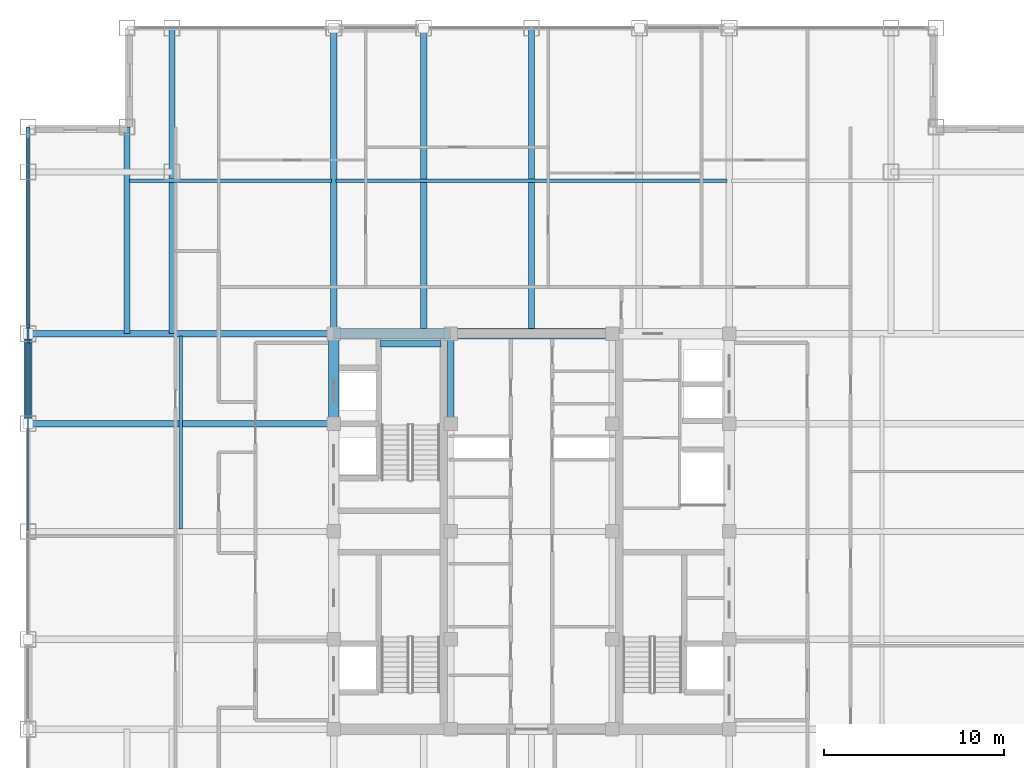
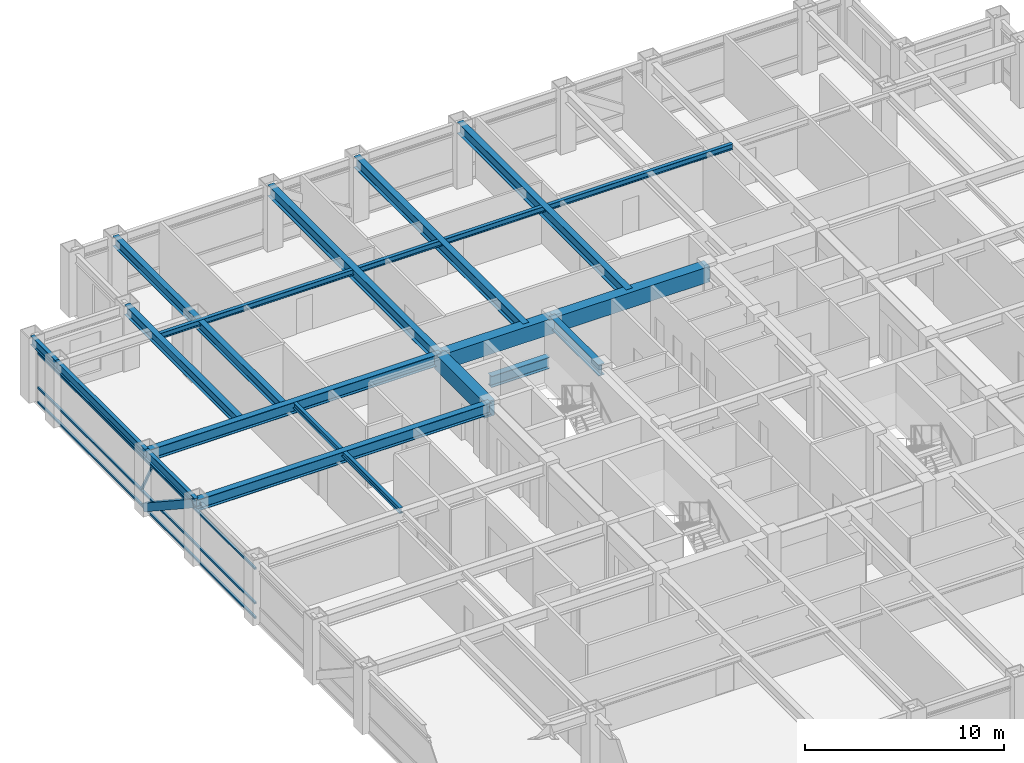
# One storey, part 11 of 22: 18 beams, 5 members, 1 element without a shape of its own.
"""IFC4 building model written with IfcOpenShell, lengths in metres."""

from ifc_helpers import new_model, si_unit, direction, frame, origin, origin_2d, place, context, subcontext, project, spatial, rectangle, hollow_rectangle, i_section, extrude, source, transform, mapped, material, material_profile, profile_set, type_object, element, aggregate, save


model = new_model("IFC4")

# Units and contexts
model_context = context("Model", 3, precision=1e-05, world=origin(), true_north=direction((0.0, 1.0)))
body_context = subcontext(model_context, "Body", "Model", "MODEL_VIEW")
ifc_project = project(units=[si_unit("LENGTHUNIT", "METRE"), si_unit("AREAUNIT", "SQUARE_METRE"), si_unit("VOLUMEUNIT", "CUBIC_METRE"), si_unit("PLANEANGLEUNIT", "RADIAN"), si_unit("MASSUNIT", "GRAM", prefix="KILO")], contexts=[model_context])

# Site, building, storey
site_placement = place(None, origin())
site = spatial("IfcSite", under=ifc_project, at=site_placement, CompositionType="ELEMENT")
building_placement = place(site_placement, origin())
building = spatial("IfcBuilding", under=site, at=building_placement, Name="Khorayat Bourse Tower", CompositionType="ELEMENT")
storey_placement = place(building_placement, frame((0.0, 0.0, 309.5)))
storey = spatial("IfcBuildingStorey", under=building, at=storey_placement, Name="L73", CompositionType="ELEMENT", Elevation=309.5)

# Beams
ifc_material_1 = material(Name="Steel ASTM A992 Grade 50", Category="steel")
ifc_material_profile_1 = material_profile(ifc_material_1, i_section(OverallWidth=0.35498046875, OverallDepth=0.695068359375, WebThickness=0.015380859375, FlangeThickness=0.02490234375, FilletRadius=0.01806640625, at=origin_2d()), Name="W690X217")
ifc_profile_set_1 = profile_set([ifc_material_profile_1], Name="Steel ASTM A992 Grade 50")
beam_type_1 = type_object("IfcBeamType", Name="BM-GIRD-690", PredefinedType="BEAM", material=ifc_profile_set_1)
shared_shape_1 = source(origin(), body_context, "Body", "SweptSolid", [
    extrude(i_section(OverallWidth=0.35498046875, OverallDepth=0.695068359375, WebThickness=0.015380859375, FlangeThickness=0.02490234375, FilletRadius=0.01806640625, at=origin_2d()), origin(), (0.0, 0.0, 1.0), 5.0),
])
beam_1_placement = place(storey_placement, frame((-4.5, 6.0, 3.4326171875), z_axis=(0.0, 1.0, 0.0), x_axis=(-1.0, 0.0, 0.0)))
element("IfcBeam", 1, at=beam_1_placement, inside=storey, type_object=beam_type_1, Name="L73 BM-GIRD-690 BM-L73-CRX-08", PredefinedType="BEAM", context=body_context, shape_type="MappedRepresentation", body=[
    mapped(shared_shape_1, transform((0.0, 0.0, 0.0), scale=1.0)),
])
shared_shape_2 = source(origin(), body_context, "Body", "SweptSolid", [
    extrude(i_section(OverallWidth=0.35498046875, OverallDepth=0.695068359375, WebThickness=0.015380859375, FlangeThickness=0.02490234375, FilletRadius=0.01806640625, at=origin_2d()), origin(), (0.0, 0.0, 1.0), 3.39990234375),
])
beam_2_placement = place(storey_placement, frame((-8.419921875, 10.449951171875, 1.452392578125), z_axis=(1.0, 0.0, 0.0), x_axis=(0.0, 1.0, 0.0)))
element("IfcBeam", 2, at=beam_2_placement, inside=storey, type_object=beam_type_1, Name="L73 BM-GIRD-690 BM-L73-ST2L", PredefinedType="BEAM", context=body_context, shape_type="MappedRepresentation", body=[
    mapped(shared_shape_2, transform((0.0, 0.0, 0.0), scale=1.0)),
])
ifc_material_profile_2 = material_profile(ifc_material_1, i_section(OverallWidth=0.324951171875, OverallDepth=0.615966796875, WebThickness=0.013916015625, FlangeThickness=0.021484375, FilletRadius=0.01611328125, at=origin_2d()), Name="W610X174")
ifc_profile_set_2 = profile_set([ifc_material_profile_2], Name="Steel ASTM A992 Grade 50")
beam_type_2 = type_object("IfcBeamType", Name="BM-GIRD-610", PredefinedType="BEAM", material=ifc_profile_set_2)
shared_shape_3 = source(origin(), body_context, "Body", "SweptSolid", [
    extrude(i_section(OverallWidth=0.324951171875, OverallDepth=0.615966796875, WebThickness=0.013916015625, FlangeThickness=0.021484375, FilletRadius=0.01611328125, at=origin_2d()), origin(), (0.0, 0.0, 1.0), 17.0),
])
beam_3_placement = place(storey_placement, frame((-20.0, 11.0, 3.471923828125), z_axis=(0.0, 1.0, 0.0), x_axis=(-1.0, 0.0, 0.0)))
element("IfcBeam", 3, at=beam_3_placement, inside=storey, type_object=beam_type_2, Name="L73 BM-GIRD-610 BM-L73-CNRY-085", PredefinedType="BEAM", context=body_context, shape_type="MappedRepresentation", body=[
    mapped(shared_shape_3, transform((0.0, 0.0, 0.0), scale=1.0)),
])
ifc_material_2 = material(Name="Concrete C60/75", Category="concrete")
ifc_material_profile_3 = material_profile(ifc_material_2, rectangle(XDim=0.60009765625, YDim=0.949951171875, at=origin_2d()), Name="RC 600x950")
ifc_profile_set_3 = profile_set([ifc_material_profile_3], Name="Concrete C60/75")
beam_type_3 = type_object("IfcBeamType", Name="BM-COUP-950", PredefinedType="BEAM", material=ifc_profile_set_3)
shared_shape_4 = source(origin(), body_context, "Body", "SweptSolid", [
    extrude(rectangle(XDim=0.60009765625, YDim=0.949951171875, at=origin_2d()), origin(), (0.0, 0.0, 1.0), 5.0),
])
beam_4_placement = place(storey_placement, frame((-11.0, 6.0, 3.304931640625), z_axis=(0.0, 1.0, 0.0), x_axis=(-1.0, 0.0, 0.0)))
element("IfcBeam", 4, at=beam_4_placement, inside=storey, type_object=beam_type_3, Name="L73 BM-COUP-950 BM-L73-CRX-04", PredefinedType="BEAM", context=body_context, shape_type="MappedRepresentation", body=[
    mapped(shared_shape_4, transform((0.0, 0.0, 0.0), scale=1.0)),
])
shared_shape_5 = source(origin(), body_context, "Body", "SweptSolid", [
    extrude(rectangle(XDim=0.60009765625, YDim=0.949951171875, at=origin_2d()), origin(), (0.0, 0.0, 1.0), 6.5),
])
beam_5_placement = place(storey_placement, frame((-11.0, 11.0, 3.304931640625), z_axis=(1.0, 0.0, 0.0), x_axis=(0.0, 1.0, 0.0)))
element("IfcBeam", 5, at=beam_5_placement, inside=storey, type_object=beam_type_3, Name="L73 BM-COUP-950 BM-L73-CRY-20", PredefinedType="BEAM", context=body_context, shape_type="MappedRepresentation", body=[
    mapped(shared_shape_5, transform((0.0, 0.0, 0.0), scale=1.0)),
])
shared_shape_6 = source(origin(), body_context, "Body", "SweptSolid", [
    extrude(rectangle(XDim=0.60009765625, YDim=0.949951171875, at=origin_2d()), origin(), (0.0, 0.0, 1.0), 9.0),
])
beam_6_placement = place(storey_placement, frame((-4.5, 11.0, 3.304931640625), z_axis=(1.0, 0.0, 0.0), x_axis=(0.0, 1.0, 0.0)))
element("IfcBeam", 6, at=beam_6_placement, inside=storey, type_object=beam_type_3, Name="L73 BM-COUP-950 BM-L73-CRY-21", PredefinedType="BEAM", context=body_context, shape_type="MappedRepresentation", body=[
    mapped(shared_shape_6, transform((0.0, 0.0, 0.0), scale=1.0)),
])

# Member
ifc_material_3 = material(Name="Steel EN 10025-4 S460M", Category="steel")
ifc_material_profile_4 = material_profile(ifc_material_3, hollow_rectangle(XDim=0.449951171875, YDim=0.449951171875, WallThickness=0.02490234375, at=origin_2d()), Name="HSS 450x450x25")
ifc_profile_set_4 = profile_set([ifc_material_profile_4], Name="Steel EN 10025-4 S460M")
member_type_1 = type_object("IfcMemberType", Name="MBR-TUBE-450", PredefinedType="BRACE", material=ifc_profile_set_4)
shared_shape_7 = source(origin(), body_context, "Body", "SweptSolid", [
    extrude(hollow_rectangle(XDim=0.449951171875, YDim=0.449951171875, WallThickness=0.02490234375, at=origin_2d()), origin(), (0.0, 0.0, 1.0), 5.979736328125),
])
member_1_placement = place(storey_placement, frame((-28.0, 6.0, 3.530029296875), z_axis=(0.0, 0.836141536525, -0.548513747227), x_axis=(-1.0, 0.0, 0.0)))
element("IfcMember", 7, at=member_1_placement, inside=storey, type_object=member_type_1, Name="L73 Perimeter Tube Brace 06", PredefinedType="BRACE", context=body_context, shape_type="MappedRepresentation", body=[
    mapped(shared_shape_7, transform((0.0, 0.0, 0.0), scale=1.0)),
])

# Beams
shared_shape_8 = source(origin(), body_context, "Body", "SweptSolid", [
    extrude(i_section(OverallWidth=0.35498046875, OverallDepth=0.695068359375, WebThickness=0.015380859375, FlangeThickness=0.02490234375, FilletRadius=0.01806640625, at=origin_2d()), origin(), (0.0, 0.0, 1.0), 17.0),
])
for number, where, z_axis, x_axis, name in (
    (8, (-11.0, 11.0, 3.4326171875), (0.0, 1.0, 0.0), (-1.0, 0.0, 0.0), "L73 BM-GIRD-690 BM-L73-RADY-064"),
    (9, (-6.0, 11.0, 3.4326171875), (0.0, 1.0, 0.0), (-1.0, 0.0, 0.0), "L73 BM-GIRD-690 BM-L73-RADY-066"),
    (10, (0.0, 11.0, 3.4326171875), (0.0, 1.0, 0.0), (-1.0, 0.0, 0.0), "L73 BM-GIRD-690 BM-L73-RADY-068"),
    (11, (-28.0, 6.0, 3.4326171875), (1.0, 0.0, 0.0), (0.0, 1.0, 0.0), "L73 BM-GIRD-690 BM-L73-RADX-081"),
    (12, (-28.0, 11.0, 3.4326171875), (1.0, 0.0, 0.0), (0.0, 1.0, 0.0), "L73 BM-GIRD-690 BM-L73-RADX-083"),
):
    element("IfcBeam", number, at=place(storey_placement, frame(where, z_axis=z_axis, x_axis=x_axis)), inside=storey, type_object=beam_type_1, Name=name, PredefinedType="BEAM", context=body_context, shape_type="MappedRepresentation", body=[
        mapped(shared_shape_8, transform((0.0, 0.0, 0.0), scale=1.0)),
    ])
shared_shape_9 = source(origin(), body_context, "Body", "SweptSolid", [
    extrude(i_section(OverallWidth=0.324951171875, OverallDepth=0.615966796875, WebThickness=0.013916015625, FlangeThickness=0.021484375, FilletRadius=0.01611328125, at=origin_2d()), origin(), (0.0, 0.0, 1.0), 11.5),
])
beam_7_placement = place(storey_placement, frame((-22.5, 11.0, 3.471923828125), z_axis=(0.0, 1.0, 0.0), x_axis=(-1.0, 0.0, 0.0)))
element("IfcBeam", 13, at=beam_7_placement, inside=storey, type_object=beam_type_2, Name="L73 BM-GIRD-610 BM-L73-CNRY-089", PredefinedType="BEAM", context=body_context, shape_type="MappedRepresentation", body=[
    mapped(shared_shape_9, transform((0.0, 0.0, 0.0), scale=1.0)),
])
ifc_material_profile_5 = material_profile(ifc_material_1, i_section(OverallWidth=0.202880859375, OverallDepth=0.346923828125, WebThickness=0.0078125, FlangeThickness=0.013427734375, FilletRadius=0.010009765625, at=origin_2d()), Name="W360X64")
ifc_profile_set_5 = profile_set([ifc_material_profile_5], Name="Steel ASTM A992 Grade 50")
beam_type_4 = type_object("IfcBeamType", Name="BM-JOIST-360", PredefinedType="JOIST", material=ifc_profile_set_5)
shared_shape_10 = source(origin(), body_context, "Body", "SweptSolid", [
    extrude(i_section(OverallWidth=0.202880859375, OverallDepth=0.346923828125, WebThickness=0.0078125, FlangeThickness=0.013427734375, FilletRadius=0.010009765625, at=origin_2d()), origin(), (0.0, 0.0, 1.0), 11.240234375),
])
beam_8_placement = place(storey_placement, frame((-22.3701171875, 19.5, 3.6064453125), z_axis=(1.0, 0.0, 0.0), x_axis=(0.0, 1.0, 0.0)))
element("IfcBeam", 14, at=beam_8_placement, inside=storey, type_object=beam_type_4, Name="L73 BM-JOIST-360 BM-L73-JSTX-099", PredefinedType="JOIST", context=body_context, shape_type="MappedRepresentation", body=[
    mapped(shared_shape_10, transform((0.0, 0.0, 0.0), scale=1.0)),
])
shared_shape_11 = source(origin(), body_context, "Body", "SweptSolid", [
    extrude(i_section(OverallWidth=0.202880859375, OverallDepth=0.346923828125, WebThickness=0.0078125, FlangeThickness=0.013427734375, FilletRadius=0.010009765625, at=origin_2d()), origin(), (0.0, 0.0, 1.0), 21.740234375),
])
beam_9_placement = place(storey_placement, frame((-10.8701171875, 19.5, 3.6064453125), z_axis=(1.0, 0.0, 0.0), x_axis=(0.0, 1.0, 0.0)))
element("IfcBeam", 15, at=beam_9_placement, inside=storey, type_object=beam_type_4, Name="L73 BM-JOIST-360 BM-L73-JSTX-100", PredefinedType="JOIST", context=body_context, shape_type="MappedRepresentation", body=[
    mapped(shared_shape_11, transform((0.0, 0.0, 0.0), scale=1.0)),
])
shared_shape_12 = source(origin(), body_context, "Body", "SweptSolid", [
    extrude(i_section(OverallWidth=0.202880859375, OverallDepth=0.346923828125, WebThickness=0.0078125, FlangeThickness=0.013427734375, FilletRadius=0.010009765625, at=origin_2d()), origin(), (0.0, 0.0, 1.0), 10.740234375),
])
beam_10_placement = place(storey_placement, frame((-19.5, 0.1298828125, 3.6064453125), z_axis=(0.0, 1.0, 0.0), x_axis=(-1.0, 0.0, 0.0)))
element("IfcBeam", 16, at=beam_10_placement, inside=storey, type_object=beam_type_4, Name="L73 BM-JOIST-360 BM-L73-JSTY-103", PredefinedType="JOIST", context=body_context, shape_type="MappedRepresentation", body=[
    mapped(shared_shape_12, transform((0.0, 0.0, 0.0), scale=1.0)),
])
ifc_material_profile_6 = material_profile(ifc_material_1, i_section(OverallWidth=0.214111328125, OverallDepth=0.549072265625, WebThickness=0.0146484375, FlangeThickness=0.023681640625, FilletRadius=0.013916015625, at=origin_2d()), Name="W530X138")
ifc_profile_set_6 = profile_set([ifc_material_profile_6], Name="Steel ASTM A992 Grade 50")
beam_type_5 = type_object("IfcBeamType", Name="BM-SPAN-530", PredefinedType="SPANDREL", material=ifc_profile_set_6)
shared_shape_13 = source(origin(), body_context, "Body", "SweptSolid", [
    extrude(i_section(OverallWidth=0.214111328125, OverallDepth=0.549072265625, WebThickness=0.0146484375, FlangeThickness=0.023681640625, FilletRadius=0.013916015625, at=origin_2d()), origin(), (0.0, 0.0, 1.0), 2.5),
])
beam_11_placement = place(storey_placement, frame((-28.0, 20.0, 3.505615234375), z_axis=(0.0, 1.0, 0.0), x_axis=(-1.0, 0.0, 0.0)))
element("IfcBeam", 17, at=beam_11_placement, inside=storey, type_object=beam_type_5, Name="L73 BM-SPAN-530 BM-L73-SPN-054", PredefinedType="SPANDREL", context=body_context, shape_type="MappedRepresentation", body=[
    mapped(shared_shape_13, transform((0.0, 0.0, 0.0), scale=1.0)),
])
shared_shape_14 = source(origin(), body_context, "Body", "SweptSolid", [
    extrude(i_section(OverallWidth=0.214111328125, OverallDepth=0.549072265625, WebThickness=0.0146484375, FlangeThickness=0.023681640625, FilletRadius=0.013916015625, at=origin_2d()), origin(), (0.0, 0.0, 1.0), 9.0),
])
beam_12_placement = place(storey_placement, frame((-28.0, 11.0, 3.505615234375), z_axis=(0.0, 1.0, 0.0), x_axis=(-1.0, 0.0, 0.0)))
element("IfcBeam", 18, at=beam_12_placement, inside=storey, type_object=beam_type_5, Name="L73 BM-SPAN-530 BM-L73-SPN-055", PredefinedType="SPANDREL", context=body_context, shape_type="MappedRepresentation", body=[
    mapped(shared_shape_14, transform((0.0, 0.0, 0.0), scale=1.0)),
])
shared_shape_15 = source(origin(), body_context, "Body", "SweptSolid", [
    extrude(i_section(OverallWidth=0.214111328125, OverallDepth=0.549072265625, WebThickness=0.0146484375, FlangeThickness=0.023681640625, FilletRadius=0.013916015625, at=origin_2d()), origin(), (0.0, 0.0, 1.0), 5.0),
])
beam_13_placement = place(storey_placement, frame((-28.0, 6.0, 3.505615234375), z_axis=(0.0, 1.0, 0.0), x_axis=(-1.0, 0.0, 0.0)))
element("IfcBeam", 19, at=beam_13_placement, inside=storey, type_object=beam_type_5, Name="L73 BM-SPAN-530 BM-L73-SPN-056", PredefinedType="SPANDREL", context=body_context, shape_type="MappedRepresentation", body=[
    mapped(shared_shape_15, transform((0.0, 0.0, 0.0), scale=1.0)),
])

# Curtain wall, members
ifc_material_4 = material(Name="Aluminium EN AW-6063 T6", Category="aluminium")
curtain_wall_type = type_object("IfcCurtainWallType", Name="CW-SYS-04", PredefinedType="NOTDEFINED", material=ifc_material_4)
curtain_wall_placement = place(storey_placement, origin())
curtain_wall = element("IfcCurtainWall", 20, at=curtain_wall_placement, inside=storey, type_object=curtain_wall_type, Name="L73 Curtain Wall CW-L73-W1", PredefinedType="NOTDEFINED")
ifc_material_profile_7 = material_profile(ifc_material_4, hollow_rectangle(XDim=0.1201171875, YDim=0.1201171875, WallThickness=0.0048828125, at=origin_2d()), Name="ALU 120x120x5")
ifc_profile_set_7 = profile_set([ifc_material_profile_7], Name="Aluminium EN AW-6063 T6")
member_type_2 = type_object("IfcMemberType", Name="CWM-DIAG-120", PredefinedType="MULLION", material=ifc_profile_set_7)
shared_shape_16 = source(origin(), body_context, "Body", "SweptSolid", [
    extrude(hollow_rectangle(XDim=0.1201171875, YDim=0.1201171875, WallThickness=0.0048828125, at=origin_2d()), origin(), (0.0, 0.0, 1.0), 2.0791015625),
])
member_2_placement = place(storey_placement, frame((-28.0, 11.4541015625, 1.090087890625), z_axis=(0.0, -0.465717394116, 0.884933505309), x_axis=(1.0, 0.0, 0.0)))
member_2 = element("IfcMember", 21, at=member_2_placement, type_object=member_type_2, Name="CW-L73-W1 Faceted Diagonal Mullion 2", PredefinedType="MULLION", context=body_context, shape_type="MappedRepresentation", body=[
    mapped(shared_shape_16, transform((0.0, 0.0, 0.0), scale=1.0)),
])
ifc_material_profile_8 = material_profile(ifc_material_4, hollow_rectangle(XDim=0.1201171875, YDim=0.1201171875, WallThickness=0.0048828125, at=origin_2d()), Name="ALU 120x120x5")
ifc_profile_set_8 = profile_set([ifc_material_profile_8], Name="Aluminium EN AW-6063 T6")
member_type_3 = type_object("IfcMemberType", Name="CWT-HORZ-120", PredefinedType="USERDEFINED", material=ifc_profile_set_8)
shared_shape_17 = source(origin(), body_context, "Body", "SweptSolid", [
    extrude(hollow_rectangle(XDim=0.1201171875, YDim=0.1201171875, WallThickness=0.0048828125, at=origin_2d()), origin(), (0.0, 0.0, 1.0), 21.81982421875),
])
member_3_placement = place(storey_placement, frame((-28.0, 0.06005859375, 0.06005859375), z_axis=(0.0, 1.0, 0.0), x_axis=(-1.0, 0.0, 0.0)))
member_3 = element("IfcMember", 22, at=member_3_placement, type_object=member_type_3, Name="CW-L73-W1 Horizontal Transom 2-1", ObjectType="TRANSOM", PredefinedType="USERDEFINED", context=body_context, shape_type="MappedRepresentation", body=[
    mapped(shared_shape_17, transform((0.0, 0.0, 0.0), scale=1.0)),
])
member_4_placement = place(storey_placement, frame((-28.0, 0.06005859375, 0.949951171875), z_axis=(0.0, 1.0, 0.0), x_axis=(-1.0, 0.0, 0.0)))
member_4 = element("IfcMember", 23, at=member_4_placement, type_object=member_type_3, Name="CW-L73-W1 Horizontal Transom 2-2", ObjectType="TRANSOM", PredefinedType="USERDEFINED", context=body_context, shape_type="MappedRepresentation", body=[
    mapped(shared_shape_17, transform((0.0, 0.0, 0.0), scale=1.0)),
])
member_5_placement = place(storey_placement, frame((-28.0, 0.06005859375, 3.070068359375), z_axis=(0.0, 1.0, 0.0), x_axis=(-1.0, 0.0, 0.0)))
member_5 = element("IfcMember", 24, at=member_5_placement, type_object=member_type_3, Name="CW-L73-W1 Horizontal Transom 2-3", ObjectType="TRANSOM", PredefinedType="USERDEFINED", context=body_context, shape_type="MappedRepresentation", body=[
    mapped(shared_shape_17, transform((0.0, 0.0, 0.0), scale=1.0)),
])
aggregate(curtain_wall, [member_3, member_4, member_5, member_2])

save(model, "model.ifc")
